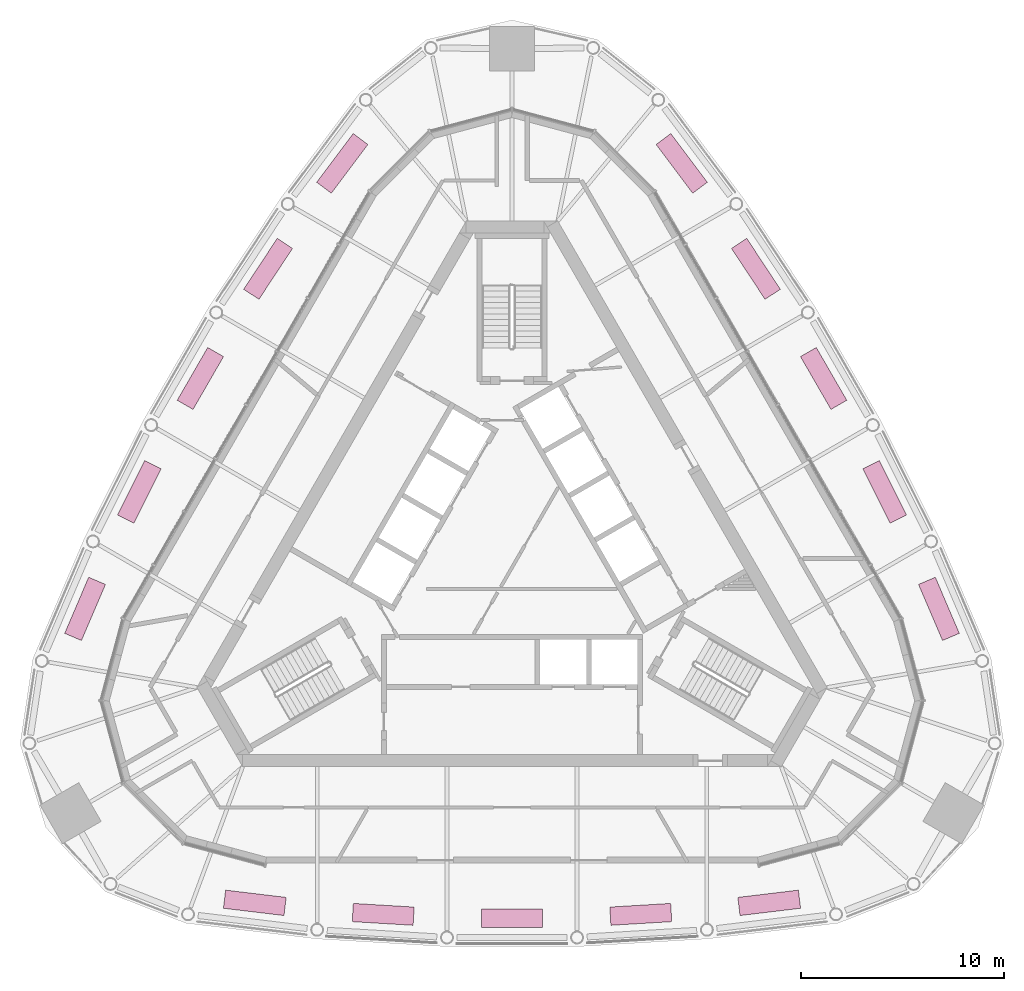
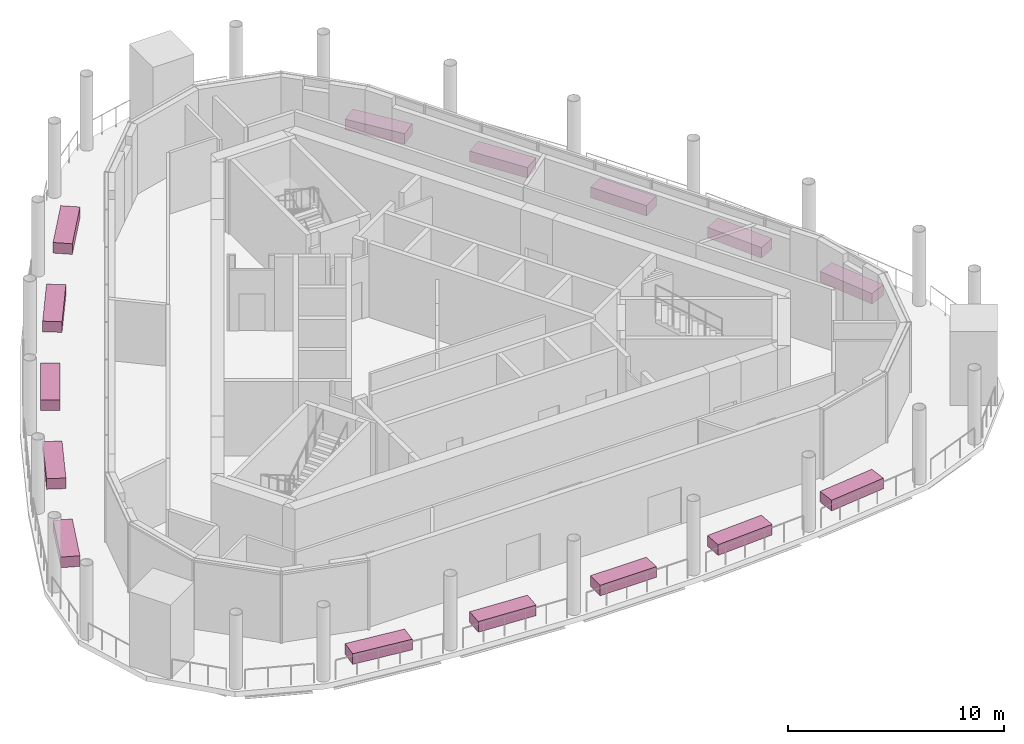
# One storey, part 15 of 15: 15 furniture elements.
"""IFC4 building model written with IfcOpenShell, lengths in metres."""

from ifc_helpers import new_model, si_unit, direction, frame, origin, origin_2d, place, context, subcontext, project, spatial, rectangle, extrude, material, type_object, element, save


model = new_model("IFC4")

# Units and contexts
model_context = context("Model", 3, precision=1e-05, world=origin(), true_north=direction((0.0, 1.0)))
body_context = subcontext(model_context, "Body", "Model", "MODEL_VIEW")
ifc_project = project(units=[si_unit("LENGTHUNIT", "METRE"), si_unit("AREAUNIT", "SQUARE_METRE"), si_unit("VOLUMEUNIT", "CUBIC_METRE"), si_unit("PLANEANGLEUNIT", "RADIAN"), si_unit("MASSUNIT", "GRAM", prefix="KILO")], contexts=[model_context])

# Site, building, storey
site_placement = place(None, origin())
site = spatial("IfcSite", under=ifc_project, at=site_placement, CompositionType="ELEMENT")
building_placement = place(site_placement, origin())
building = spatial("IfcBuilding", under=site, at=building_placement, Name="Mestral Congress Tower", CompositionType="ELEMENT")
storey_placement = place(building_placement, frame((0.0, 0.0, 327.60009765625)))
storey = spatial("IfcBuildingStorey", under=building, at=storey_placement, Name="L76", CompositionType="ELEMENT", Elevation=327.60009765625)

# Furniture
ifc_material = material(Name="Precast concrete C30/37", Category="concrete")
furniture_type = type_object("IfcFurnitureType", Name="Crown terrace planter 3000 x 900", AssemblyPlace="NOTDEFINED", PredefinedType="USERDEFINED", material=ifc_material)
for number, where, z_axis, x_axis, name in (
    (1, (-12.6552734375, -16.948974609375, -0.000244140625), (0.0, 0.0, 1.0), (0.992887384636, -0.119057303137, 0.0), "Terrace planter F0-00"),
    (2, (-6.336669921875, -17.51611328125, -0.000244140625), (0.0, 0.0, 1.0), (0.998221251071, -0.05961823471, 0.0), "Terrace planter F0-01"),
    (3, (0.0, -17.705078125, -0.000244140625), (0.0, 0.0, 1.0), (1.0, 0.0, 0.0), "Terrace planter F0-02"),
    (4, (6.336669921875, -17.51611328125, -0.000244140625), (0.0, 0.0, 1.0), (0.998221251071, 0.05961823471, 0.0), "Terrace planter F0-03"),
    (5, (12.6552734375, -16.948974609375, -0.000244140625), (0.0, 0.0, 1.0), (0.992887384636, 0.119057303137, 0.0), "Terrace planter F0-04"),
    (6, (21.006103515625, -2.4853515625, -0.000244140625), (0.0, 0.0, 1.0), (-0.39335629896, 0.919386111527, 0.0), "Terrace planter F1-00"),
    (7, (18.337890625, 3.270263671875, -0.000244140625), (0.0, 0.0, 1.0), (-0.447468793851, 0.89429954631, 0.0), "Terrace planter F1-01"),
    (8, (15.333251953125, 8.8525390625, -0.000244140625), (0.0, 0.0, 1.0), (-0.500006045986, 0.866021913105, 0.0), "Terrace planter F1-02"),
    (9, (12.001220703125, 14.245849609375, -0.000244140625), (0.0, 0.0, 1.0), (-0.550742988107, 0.834674883443, 0.0), "Terrace planter F1-03"),
    (10, (8.3505859375, 19.434326171875, -0.000244140625), (0.0, 0.0, 1.0), (-0.599541960198, 0.800343325056, 0.0), "Terrace planter F1-04"),
    (11, (-8.3505859375, 19.434326171875, -0.000244140625), (0.0, 0.0, 1.0), (-0.599541960198, -0.800343325056, 0.0), "Terrace planter F2-00"),
    (12, (-12.001220703125, 14.245849609375, -0.000244140625), (0.0, 0.0, 1.0), (-0.550742988107, -0.834674883443, 0.0), "Terrace planter F2-01"),
    (13, (-15.333251953125, 8.8525390625, -0.000244140625), (0.0, 0.0, 1.0), (-0.500006045986, -0.866021913105, 0.0), "Terrace planter F2-02"),
    (14, (-18.337890625, 3.270263671875, -0.000244140625), (0.0, 0.0, 1.0), (-0.447468793851, -0.89429954631, 0.0), "Terrace planter F2-03"),
    (15, (-21.006103515625, -2.4853515625, -0.000244140625), (0.0, 0.0, 1.0), (-0.39335629896, -0.919386111527, 0.0), "Terrace planter F2-04"),
):
    element("IfcFurniture", number, at=place(storey_placement, frame(where, z_axis=z_axis, x_axis=x_axis)), inside=storey, type_object=furniture_type, Name=name, ObjectType="PLANTER", PredefinedType="USERDEFINED", context=body_context, shape_type="SweptSolid", body=[
        extrude(rectangle(XDim=3.0, YDim=0.89990234375, at=origin_2d()), origin(), (0.0, 0.0, 1.0), 0.60009765625),
    ])

save(model, "model.ifc")
